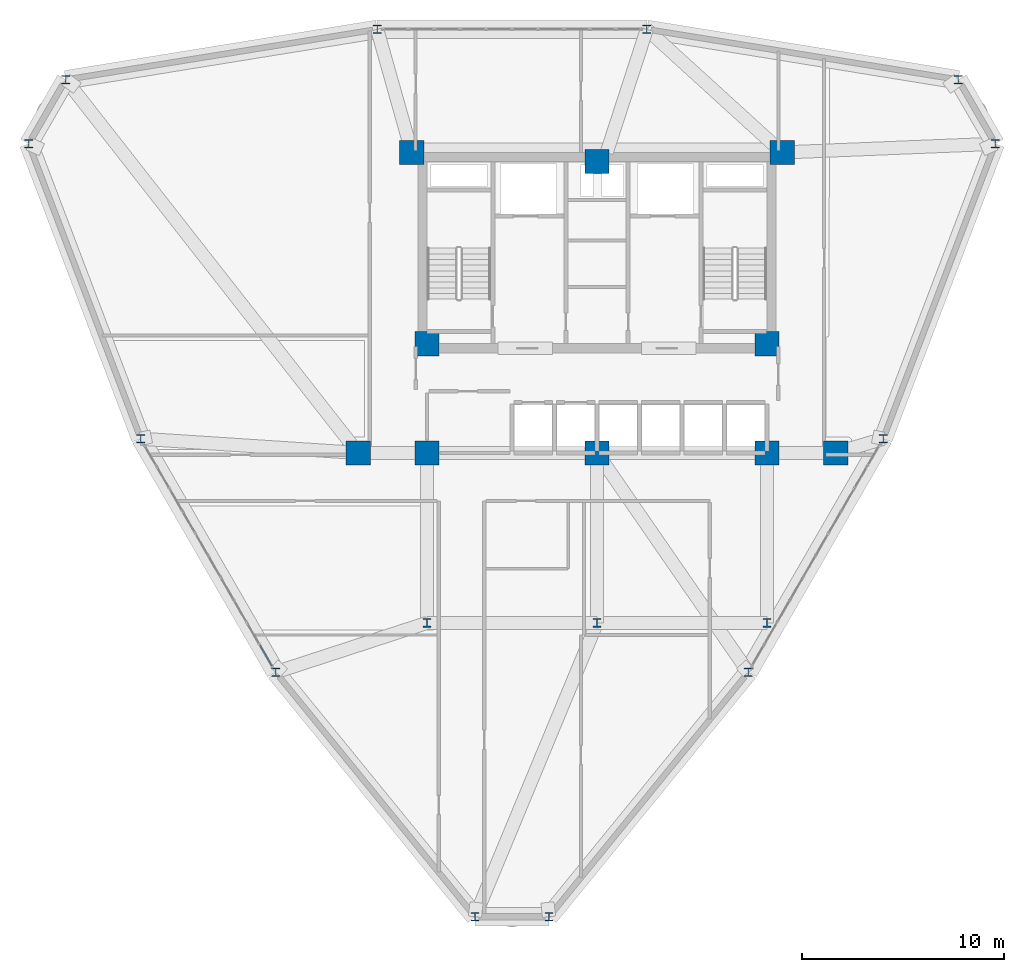
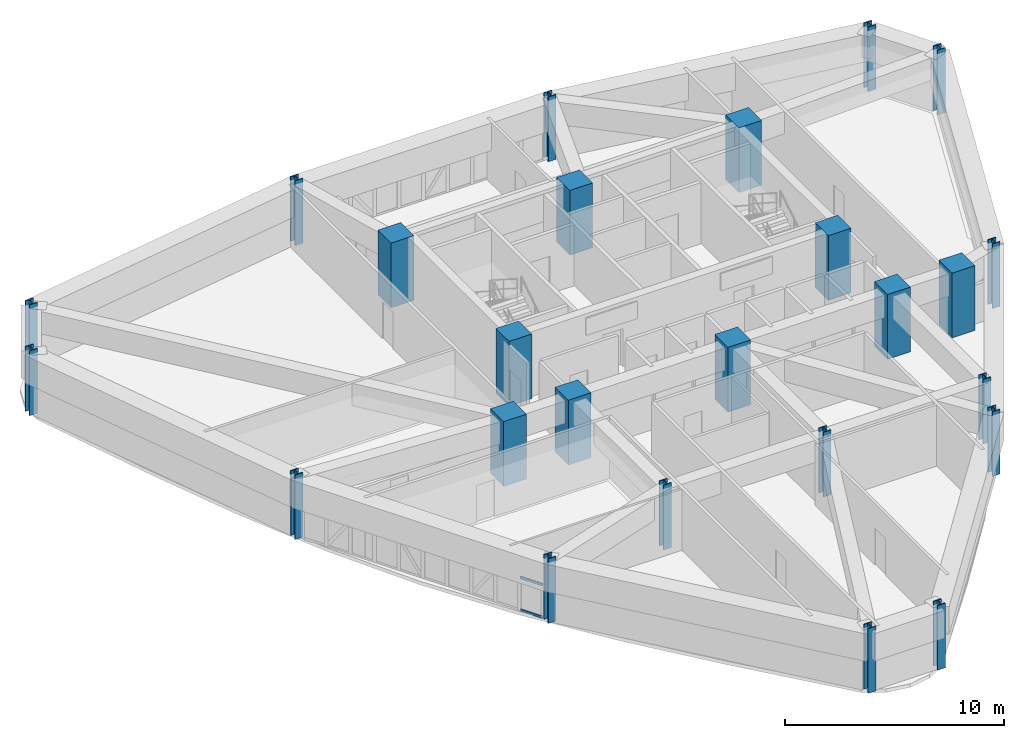
# One storey, part 1 of 16: 25 columns, 2 members, 1 element without a shape of its own.
"""IFC4 building model written with IfcOpenShell, lengths in metres."""

from ifc_helpers import new_model, si_unit, derived_unit, direction, frame, origin, origin_2d, place, context, subcontext, project, spatial, rectangle, hollow_rectangle, i_section, extrude, source, transform, mapped, material, layer, layer_set, material_profile, profile_set, type_object, element, aggregate, save


model = new_model("IFC4")

# Units and contexts
model_context = context("Model", 3, precision=1e-05, world=origin(), true_north=direction((0.0, 1.0)))
body_context = subcontext(model_context, "Body", "Model", "MODEL_VIEW")
ifc_project = project(units=[si_unit("LENGTHUNIT", "METRE"), si_unit("AREAUNIT", "SQUARE_METRE"), si_unit("VOLUMEUNIT", "CUBIC_METRE"), si_unit("PLANEANGLEUNIT", "RADIAN"), si_unit("MASSUNIT", "GRAM", prefix="KILO"), derived_unit("THERMALTRANSMITTANCEUNIT", [(si_unit("POWERUNIT", "WATT"), 1), (si_unit("LENGTHUNIT", "METRE"), -2), (si_unit("THERMODYNAMICTEMPERATUREUNIT", "KELVIN"), -1)])], contexts=[model_context])

# Site, building, storey
site_placement = place(None, origin())
site = spatial("IfcSite", under=ifc_project, at=site_placement, CompositionType="ELEMENT")
building_placement = place(site_placement, origin())
building = spatial("IfcBuilding", under=site, at=building_placement, Name="Korsvarv Bourse and Concert Hall", CompositionType="ELEMENT")
storey_placement = place(building_placement, frame((0.0, 0.0, 143.39990234375)))
storey = spatial("IfcBuildingStorey", under=building, at=storey_placement, Name="L36", CompositionType="ELEMENT", Elevation=143.39990234375)

# Columns
ifc_material_1 = material(Name="Concrete C60/75", Category="concrete")
ifc_material_profile_1 = material_profile(ifc_material_1, rectangle(XDim=1.199951171875, YDim=1.199951171875, at=origin_2d()), Name="RC 1200x1200")
ifc_profile_set_1 = profile_set([ifc_material_profile_1], Name="Concrete C60/75")
column_type_1 = type_object("IfcColumnType", Name="COL-RC1200", PredefinedType="COLUMN", material=ifc_profile_set_1)
shared_shape_1 = source(origin(), body_context, "Body", "SweptSolid", [
    extrude(rectangle(XDim=1.199951171875, YDim=1.199951171875, at=origin_2d()), origin(), (0.0, 0.0, 1.0), 3.60009765625),
])
for number, where, z_axis, x_axis, name in (
    (1, (26.85009765625, 47.25, 0.0), (0.0, 0.0, 1.0), (1.0, 0.0, 0.0), "L36 column C-02"),
    (2, (45.14990234375, 47.25, 0.0), (0.0, 0.0, 1.0), (1.0, 0.0, 0.0), "L36 column C-02"),
    (3, (27.60009765625, 37.800048828125, 0.0), (0.0, 0.0, 1.0), (1.0, 0.0, 0.0), "L36 column C-02"),
    (4, (44.39990234375, 37.800048828125, 0.0), (0.0, 0.0, 1.0), (1.0, 0.0, 0.0), "L36 column C-02"),
    (5, (27.60009765625, 32.39990234375, 0.0), (0.0, 0.0, 1.0), (1.0, 0.0, 0.0), "L36 column C-02"),
    (6, (44.39990234375, 32.39990234375, 0.0), (0.0, 0.0, 1.0), (1.0, 0.0, 0.0), "L36 column C-02"),
    (7, (36.0, 46.800048828125, 0.0), (0.0, 0.0, 1.0), (1.0, 0.0, 0.0), "L36 column C-02"),
    (8, (36.0, 32.39990234375, 0.0), (0.0, 0.0, 1.0), (1.0, 0.0, 0.0), "L36 column C-02"),
    (9, (24.199951171875, 32.39990234375, 0.0), (0.0, 0.0, 1.0), (1.0, 0.0, 0.0), "L36 column C-02"),
    (10, (47.800048828125, 32.39990234375, 0.0), (0.0, 0.0, 1.0), (1.0, 0.0, 0.0), "L36 column C-02"),
):
    element("IfcColumn", number, at=place(storey_placement, frame(where, z_axis=z_axis, x_axis=x_axis)), inside=storey, type_object=column_type_1, Name=name, PredefinedType="COLUMN", context=body_context, shape_type="MappedRepresentation", body=[
        mapped(shared_shape_1, transform((0.0, 0.0, 0.0), scale=1.0)),
    ])
ifc_material_2 = material(Name="Steel S355", Category="steel")
ifc_material_profile_2 = material_profile(ifc_material_2, i_section(OverallWidth=0.412109375, OverallDepth=0.43505859375, WebThickness=0.032958984375, FlangeThickness=0.052978515625, FilletRadius=0.014892578125, at=origin_2d()), Name="HD 400x463")
ifc_profile_set_2 = profile_set([ifc_material_profile_2], Name="Steel S355")
column_type_2 = type_object("IfcColumnType", Name="COL-HD463", PredefinedType="COLUMN", material=ifc_profile_set_2)
shared_shape_2 = source(origin(), body_context, "Body", "SweptSolid", [
    extrude(i_section(OverallWidth=0.412109375, OverallDepth=0.43505859375, WebThickness=0.032958984375, FlangeThickness=0.052978515625, FilletRadius=0.014892578125, at=origin_2d()), origin(), (0.0, 0.0, 1.0), 3.60009765625),
])
for number, where, z_axis, x_axis, name in (
    (11, (27.60009765625, 24.0, 0.0), (0.0, 0.0, 1.0), (1.0, 0.0, 0.0), "L36 column C-09"),
    (12, (44.39990234375, 24.0, 0.0), (0.0, 0.0, 1.0), (1.0, 0.0, 0.0), "L36 column C-09"),
    (13, (36.0, 24.0, 0.0), (0.0, 0.0, 1.0), (1.0, 0.0, 0.0), "L36 column C-09"),
    (14, (55.686279296875, 47.677978515625, 0.0), (0.0, 0.0, 1.0), (1.0, 0.0, 0.0), "L36 column C-09"),
    (15, (53.8564453125, 50.846923828125, 0.0), (0.0, 0.0, 1.0), (1.0, 0.0, 0.0), "L36 column C-09"),
    (16, (38.463623046875, 53.3369140625, 0.0), (0.0, 0.0, 1.0), (1.0, 0.0, 0.0), "L36 column C-09"),
    (17, (25.13623046875, 53.3369140625, 0.0), (0.0, 0.0, 1.0), (1.0, 0.0, 0.0), "L36 column C-09"),
    (18, (9.743408203125, 50.846923828125, 0.0), (0.0, 0.0, 1.0), (1.0, 0.0, 0.0), "L36 column C-09"),
    (19, (7.913818359375, 47.677978515625, 0.0), (0.0, 0.0, 1.0), (1.0, 0.0, 0.0), "L36 column C-09"),
    (20, (13.453857421875, 33.1025390625, 0.0), (0.0, 0.0, 1.0), (1.0, 0.0, 0.0), "L36 column C-09"),
    (21, (20.11767578125, 21.560546875, 0.0), (0.0, 0.0, 1.0), (1.0, 0.0, 0.0), "L36 column C-09"),
    (22, (29.97021484375, 9.47509765625, 0.0), (0.0, 0.0, 1.0), (1.0, 0.0, 0.0), "L36 column C-09"),
    (23, (33.629638671875, 9.47509765625, 0.0), (0.0, 0.0, 1.0), (1.0, 0.0, 0.0), "L36 column C-09"),
    (24, (43.482421875, 21.560546875, 0.0), (0.0, 0.0, 1.0), (1.0, 0.0, 0.0), "L36 column C-09"),
    (25, (50.14599609375, 33.1025390625, 0.0), (0.0, 0.0, 1.0), (1.0, 0.0, 0.0), "L36 column C-09"),
):
    element("IfcColumn", number, at=place(storey_placement, frame(where, z_axis=z_axis, x_axis=x_axis)), inside=storey, type_object=column_type_2, Name=name, PredefinedType="COLUMN", context=body_context, shape_type="MappedRepresentation", body=[
        mapped(shared_shape_2, transform((0.0, 0.0, 0.0), scale=1.0)),
    ])

# Curtain wall, members
ifc_material_3 = material(Name="Anodised aluminium and triple low-E glazing", Category="glass")
ifc_layer = layer(ifc_material_3, 0.2099609375)
ifc_layer_set = layer_set([ifc_layer], Name="Anodised aluminium and triple low-E glazing")
curtain_wall_type = type_object("IfcCurtainWallType", Name="CW-SYS-2", PredefinedType="NOTDEFINED", material=ifc_layer_set)
curtain_wall_placement = place(storey_placement, origin())
curtain_wall = element("IfcCurtainWall", 26, at=curtain_wall_placement, inside=storey, type_object=curtain_wall_type, Name="L36 CW2 curtain wall CW-L36-F07", PredefinedType="NOTDEFINED")
ifc_material_4 = material(Name="Extruded aluminium EN AW-6063 T66", Category="aluminium")
ifc_material_profile_3 = material_profile(ifc_material_4, hollow_rectangle(XDim=0.06494140625, YDim=0.139892578125, WallThickness=0.00390625, at=origin_2d()), Name="ALU-T 65x140")
ifc_profile_set_3 = profile_set([ifc_material_profile_3], Name="Extruded aluminium EN AW-6063 T66")
member_type = type_object("IfcMemberType", Name="CWT-140", PredefinedType="USERDEFINED", material=ifc_profile_set_3)
shared_shape_3 = source(origin(), body_context, "Body", "SweptSolid", [
    extrude(hollow_rectangle(XDim=0.06494140625, YDim=0.139892578125, WallThickness=0.00390625, at=origin_2d()), origin(), (0.0, 0.0, 1.0), 1.166015625),
])
member_1_placement = place(storey_placement, frame((19.34521484375, 22.8984375, 0.03271484375), z_axis=(0.500012451049, -0.866018215049, 0.0), x_axis=(0.866018215049, 0.500012451049, 0.0)))
member_1 = element("IfcMember", 27, at=member_1_placement, type_object=member_type, Name="CW2 transom 10.1", ObjectType="TRANSOM", PredefinedType="USERDEFINED", context=body_context, shape_type="MappedRepresentation", body=[
    mapped(shared_shape_3, transform((0.0, 0.0, 0.0), scale=1.0)),
])
member_2_placement = place(storey_placement, frame((19.34521484375, 22.8984375, 1.837646484375), z_axis=(0.500012451049, -0.866018215049, 0.0), x_axis=(0.866018215049, 0.500012451049, 0.0)))
member_2 = element("IfcMember", 28, at=member_2_placement, type_object=member_type, Name="CW2 transom 10.2", ObjectType="TRANSOM", PredefinedType="USERDEFINED", context=body_context, shape_type="MappedRepresentation", body=[
    mapped(shared_shape_3, transform((0.0, 0.0, 0.0), scale=1.0)),
])
aggregate(curtain_wall, [member_1, member_2])

save(model, "model.ifc")
